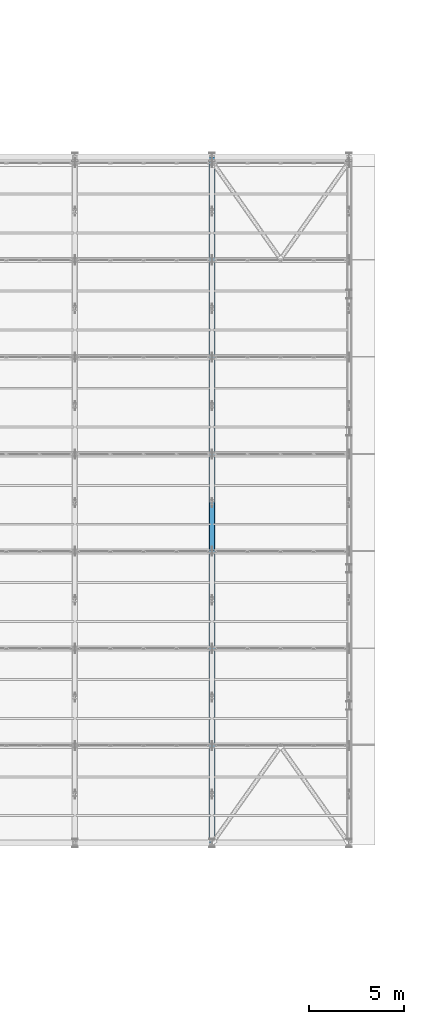
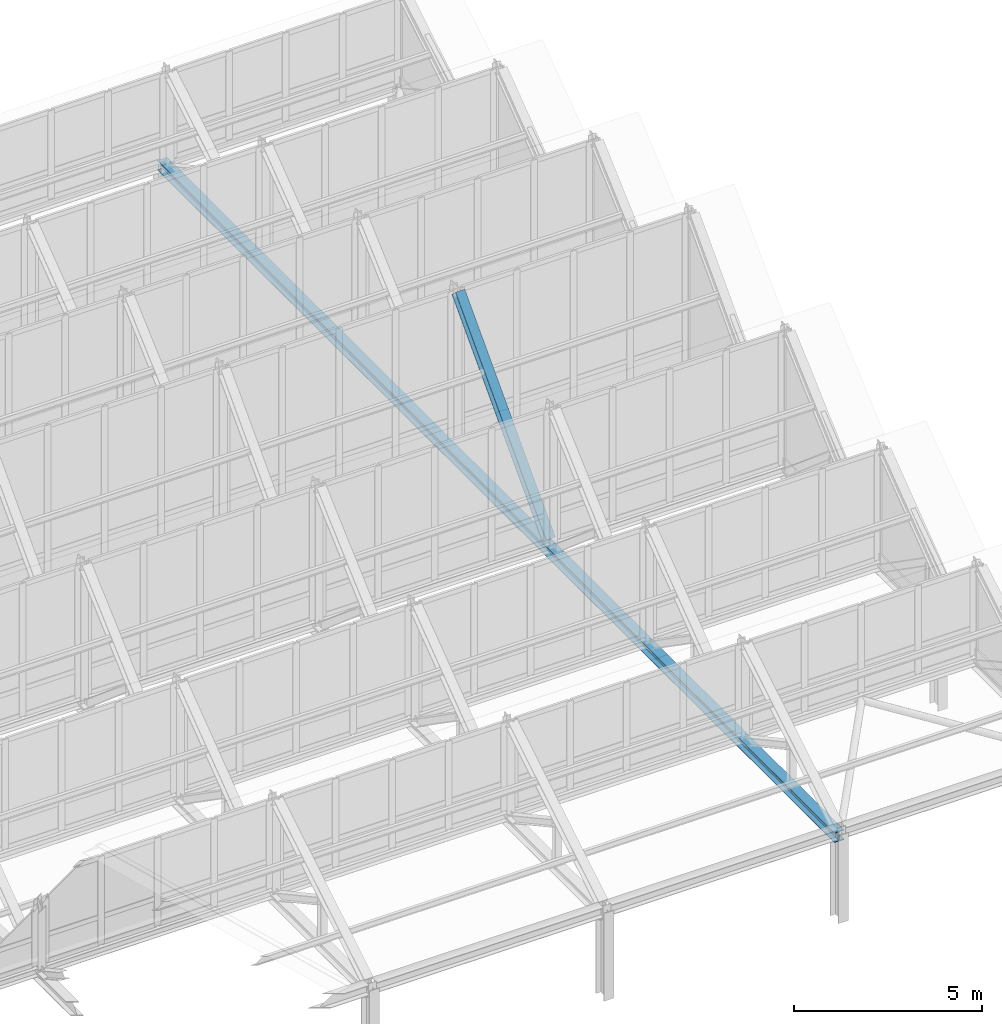
# One storey, part 62 of 157: 2 members.
"""IFC4 building model written with IfcOpenShell, lengths in metres."""

from ifc_helpers import new_model, si_unit, direction, frame, origin, origin_2d, place, context, subcontext, project, spatial, i_section, extrude, material, material_profile, profile_set, type_object, element, save


model = new_model("IFC4")

# Units and contexts
model_context = context("Model", 3, precision=1e-05, world=origin(), true_north=direction((0.0, 1.0)))
body_context = subcontext(model_context, "Body", "Model", "MODEL_VIEW")
ifc_project = project(units=[si_unit("LENGTHUNIT", "METRE"), si_unit("AREAUNIT", "SQUARE_METRE"), si_unit("VOLUMEUNIT", "CUBIC_METRE"), si_unit("PLANEANGLEUNIT", "RADIAN"), si_unit("MASSUNIT", "GRAM", prefix="KILO")], contexts=[model_context])

# Site, building, storey
site_placement = place(None, origin())
site = spatial("IfcSite", under=ifc_project, at=site_placement, CompositionType="ELEMENT")
building_placement = place(site_placement, origin())
building = spatial("IfcBuilding", under=site, at=building_placement, Name="Suanplinth Sawtooth Commons", CompositionType="ELEMENT")
storey_placement = place(building_placement, frame((0.0, 0.0, 9.0)))
storey = spatial("IfcBuildingStorey", under=building, at=storey_placement, Name="L02", CompositionType="ELEMENT", Elevation=9.0)

# Members
ifc_material = material(Name="Steel S355JR", Category="steel")
ifc_material_profile_1 = material_profile(ifc_material, i_section(OverallWidth=0.300048828125, OverallDepth=0.320068359375, WebThickness=0.011474609375, FlangeThickness=0.0205078125, at=origin_2d()), Name="HEB 320")
ifc_profile_set_1 = profile_set([ifc_material_profile_1], Name="Steel S355JR")
member_type_1 = type_object("IfcMemberType", Name="M-01", PredefinedType="CHORD", material=ifc_profile_set_1)
member_1_placement = place(storey_placement, frame((108.0, 50.39990234375, 2.64990234375), z_axis=(0.0, 1.0, 0.0), x_axis=(-1.0, 0.0, 0.0)))
element("IfcMember", 1, at=member_1_placement, inside=storey, type_object=member_type_1, Name="Sawtooth Truss T7 Bottom Chord", PredefinedType="CHORD", context=body_context, shape_type="SweptSolid", body=[
    extrude(i_section(OverallWidth=0.300048828125, OverallDepth=0.320068359375, WebThickness=0.011474609375, FlangeThickness=0.0205078125, at=origin_2d()), origin(), (0.0, 0.0, 1.0), 36.0),
])
ifc_material_profile_2 = material_profile(ifc_material, i_section(OverallWidth=0.280029296875, OverallDepth=0.280029296875, WebThickness=0.010498046875, FlangeThickness=0.01806640625, at=origin_2d()), Name="HEB 280")
ifc_profile_set_2 = profile_set([ifc_material_profile_2], Name="Steel S355JR")
member_type_2 = type_object("IfcMemberType", Name="M-02", PredefinedType="CHORD", material=ifc_profile_set_2)
member_2_placement = place(storey_placement, frame((108.0, 65.840087890625, 2.919921875), z_axis=(0.0, 0.685431841642, 0.728136793785), x_axis=(-1.0, 0.0, 0.0)))
element("IfcMember", 2, at=member_2_placement, inside=storey, type_object=member_type_2, Name="Sawtooth Truss T7 Top Chord 4", PredefinedType="CHORD", context=body_context, shape_type="SweptSolid", body=[
    extrude(i_section(OverallWidth=0.280029296875, OverallDepth=0.280029296875, WebThickness=0.010498046875, FlangeThickness=0.01806640625, at=origin_2d()), origin(), (0.0, 0.0, 1.0), 7.03173828125),
])

save(model, "model.ifc")
